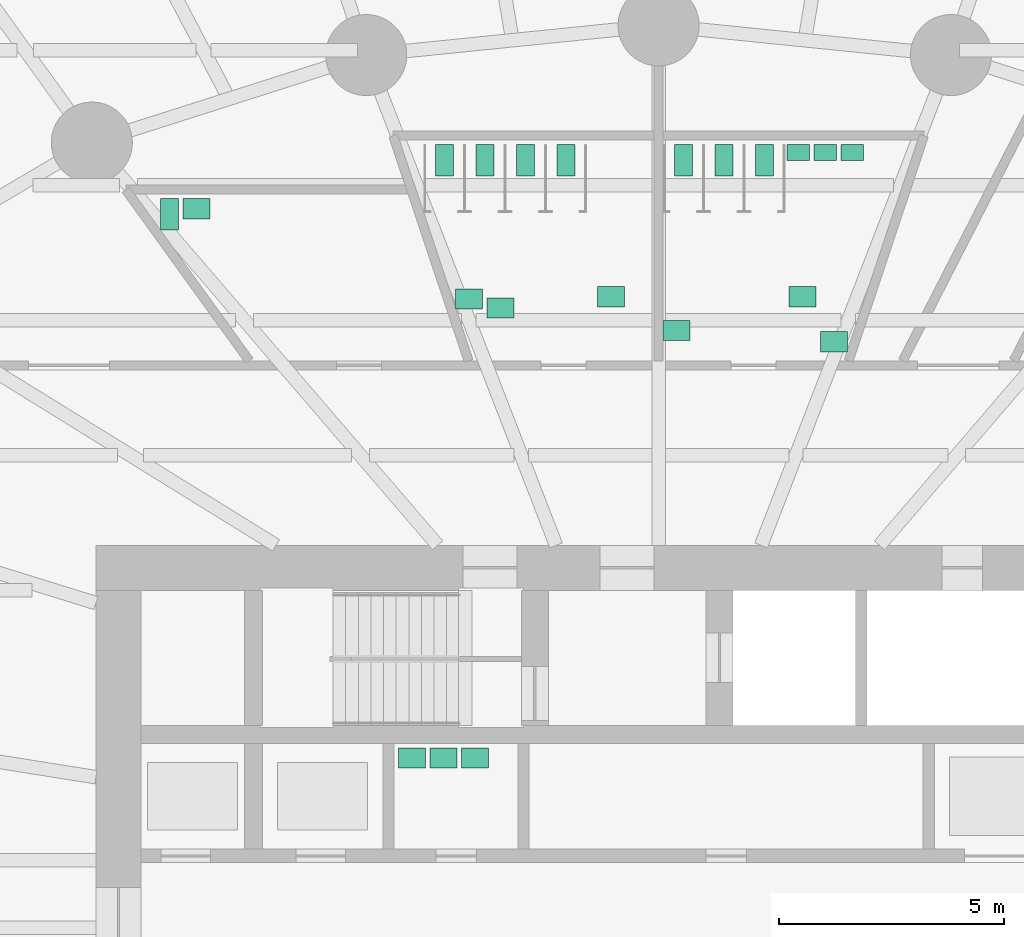
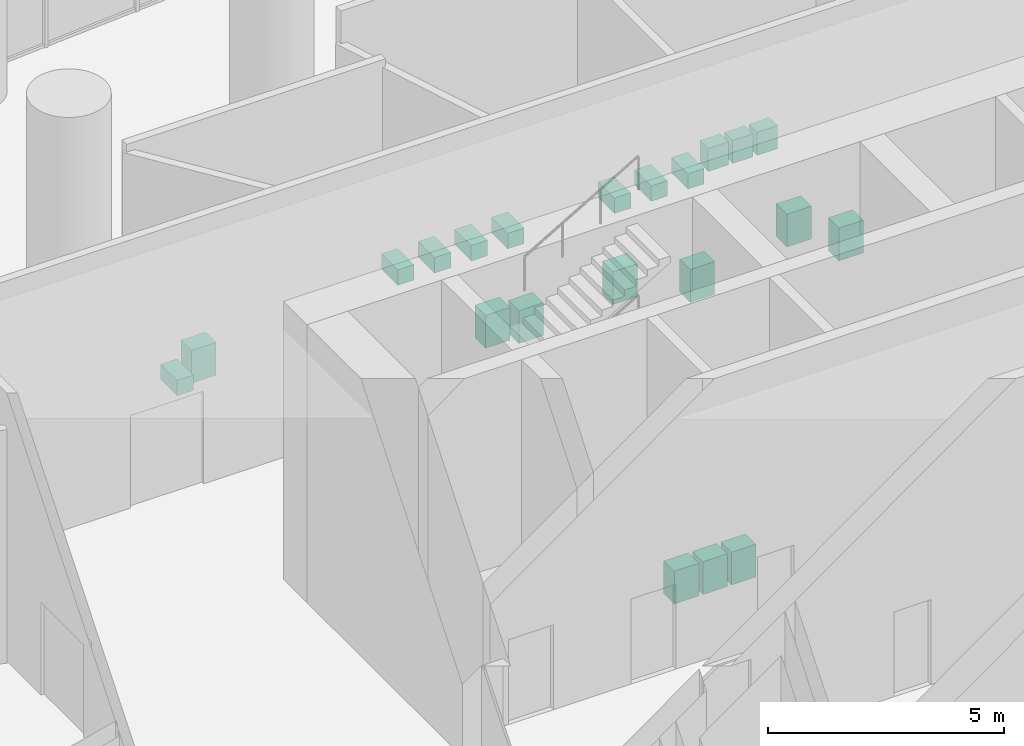
# One storey, part 20 of 22: 21 sanitary terminals.
"""IFC4 building model written with IfcOpenShell, lengths in metres."""

from ifc_helpers import new_model, si_unit, direction, frame, origin, origin_2d, place, context, subcontext, project, spatial, rectangle, extrude, element, save


model = new_model("IFC4")

# Units and contexts
model_context = context("Model", 3, precision=1e-05, world=origin(), true_north=direction((0.0, 1.0)))
body_context = subcontext(model_context, "Body", "Model", "MODEL_VIEW")
ifc_project = project(units=[si_unit("LENGTHUNIT", "METRE"), si_unit("AREAUNIT", "SQUARE_METRE"), si_unit("VOLUMEUNIT", "CUBIC_METRE"), si_unit("PLANEANGLEUNIT", "RADIAN"), si_unit("MASSUNIT", "GRAM", prefix="KILO")], contexts=[model_context])

# Site, building, storey
site_placement = place(None, origin())
site = spatial("IfcSite", under=ifc_project, at=site_placement, CompositionType="ELEMENT")
building_placement = place(site_placement, origin())
building = spatial("IfcBuilding", under=site, at=building_placement, Name="Hankou Lantern Tower", CompositionType="ELEMENT")
storey_placement = place(building_placement, origin())
storey = spatial("IfcBuildingStorey", under=building, at=storey_placement, Name="L00", CompositionType="ELEMENT", Elevation=0.0)

# Sanitary terminals
for number, where, z_axis, x_axis, name in (
    (1, (0.550048828125, 17.050048828125, 0.0), (0.0, 0.0, 1.0), (1.0, 0.0, 0.0), "Public male WC WC pan 1"),
    (2, (1.449951171875, 17.050048828125, 0.0), (0.0, 0.0, 1.0), (1.0, 0.0, 0.0), "Public male WC WC pan 2"),
    (3, (2.35009765625, 17.050048828125, 0.0), (0.0, 0.0, 1.0), (1.0, 0.0, 0.0), "Public male WC WC pan 3"),
):
    element("IfcSanitaryTerminal", number, at=place(storey_placement, frame(where, z_axis=z_axis, x_axis=x_axis)), inside=storey, Name=name, PredefinedType="TOILETPAN", context=body_context, shape_type="SweptSolid", body=[
        extrude(rectangle(XDim=0.39990234375, YDim=0.699951171875, at=origin_2d()), origin(), (0.0, 0.0, 1.0), 0.39990234375),
    ])
for number, where, z_axis, x_axis, name in (
    (4, (3.10009765625, 17.22509765625, 0.0), (0.0, 0.0, 1.0), (1.0, 0.0, 0.0), "Public male WC urinal 1"),
    (5, (3.699951171875, 17.22509765625, 0.0), (0.0, 0.0, 1.0), (1.0, 0.0, 0.0), "Public male WC urinal 2"),
    (6, (4.300048828125, 17.22509765625, 0.0), (0.0, 0.0, 1.0), (1.0, 0.0, 0.0), "Public male WC urinal 3"),
):
    element("IfcSanitaryTerminal", number, at=place(storey_placement, frame(where, z_axis=z_axis, x_axis=x_axis)), inside=storey, Name=name, PredefinedType="URINAL", context=body_context, shape_type="SweptSolid", body=[
        extrude(rectangle(XDim=0.5, YDim=0.35009765625, at=origin_2d()), origin(), (0.0, 0.0, 1.0), 0.60009765625),
    ])
for number, where, z_axis, x_axis, name in (
    (7, (0.39990234375, 13.27490234375, 0.0), (0.0, 0.0, 1.0), (1.0, 0.0, 0.0), "Public male WC wash basin 1"),
    (8, (3.199951171875, 14.02490234375, 0.0), (0.0, 0.0, 1.0), (1.0, 0.0, 0.0), "Public male WC wash basin 2"),
    (9, (3.89990234375, 13.02490234375, 0.0), (0.0, 0.0, 1.0), (1.0, 0.0, 0.0), "Public male WC wash basin 3"),
):
    element("IfcSanitaryTerminal", number, at=place(storey_placement, frame(where, z_axis=z_axis, x_axis=x_axis)), inside=storey, Name=name, PredefinedType="WASHHANDBASIN", context=body_context, shape_type="SweptSolid", body=[
        extrude(rectangle(XDim=0.60009765625, YDim=0.449951171875, at=origin_2d()), origin(), (0.0, 0.0, 1.0), 0.85009765625),
    ])
for number, where, z_axis, x_axis, name in (
    (10, (-4.761474609375, 17.050048828125, 0.0), (0.0, 0.0, 1.0), (1.0, 0.0, 0.0), "Public female WC WC pan 1"),
    (11, (-3.861328125, 17.050048828125, 0.0), (0.0, 0.0, 1.0), (1.0, 0.0, 0.0), "Public female WC WC pan 2"),
    (12, (-2.96142578125, 17.050048828125, 0.0), (0.0, 0.0, 1.0), (1.0, 0.0, 0.0), "Public female WC WC pan 3"),
    (13, (-2.061279296875, 17.050048828125, 0.0), (0.0, 0.0, 1.0), (1.0, 0.0, 0.0), "Public female WC WC pan 4"),
):
    element("IfcSanitaryTerminal", number, at=place(storey_placement, frame(where, z_axis=z_axis, x_axis=x_axis)), inside=storey, Name=name, PredefinedType="TOILETPAN", context=body_context, shape_type="SweptSolid", body=[
        extrude(rectangle(XDim=0.39990234375, YDim=0.699951171875, at=origin_2d()), origin(), (0.0, 0.0, 1.0), 0.39990234375),
    ])
for number, where, z_axis, x_axis, name in (
    (14, (-4.21142578125, 13.97509765625, 0.0), (0.0, 0.0, 1.0), (1.0, 0.0, 0.0), "Public female WC wash basin 1"),
    (15, (-3.511474609375, 13.77490234375, 0.0), (0.0, 0.0, 1.0), (1.0, 0.0, 0.0), "Public female WC wash basin 2"),
    (16, (-1.061279296875, 14.02490234375, 0.0), (0.0, 0.0, 1.0), (1.0, 0.0, 0.0), "Public female WC wash basin 3"),
):
    element("IfcSanitaryTerminal", number, at=place(storey_placement, frame(where, z_axis=z_axis, x_axis=x_axis)), inside=storey, Name=name, PredefinedType="WASHHANDBASIN", context=body_context, shape_type="SweptSolid", body=[
        extrude(rectangle(XDim=0.60009765625, YDim=0.449951171875, at=origin_2d()), origin(), (0.0, 0.0, 1.0), 0.85009765625),
    ])
sanitary_terminal_placement = place(storey_placement, frame((-10.863525390625, 15.85009765625, 0.0), z_axis=(0.0, 0.0, 1.0), x_axis=(1.0, 0.0, 0.0)))
element("IfcSanitaryTerminal", 17, at=sanitary_terminal_placement, inside=storey, Name="Accessible WC and baby change WC pan 1", PredefinedType="TOILETPAN", context=body_context, shape_type="SweptSolid", body=[
    extrude(rectangle(XDim=0.39990234375, YDim=0.699951171875, at=origin_2d()), origin(), (0.0, 0.0, 1.0), 0.39990234375),
])
for number, where, z_axis, x_axis, name in (
    (18, (-10.263427734375, 15.97509765625, 0.0), (0.0, 0.0, 1.0), (1.0, 0.0, 0.0), "Accessible WC and baby change wash basin 1"),
    (19, (-5.47509765625, 3.77490234375, 0.0), (0.0, 0.0, 1.0), (1.0, 0.0, 0.0), "Staff WC wash basin 1"),
    (20, (-4.77490234375, 3.77490234375, 0.0), (0.0, 0.0, 1.0), (1.0, 0.0, 0.0), "Staff WC wash basin 2"),
    (21, (-4.074951171875, 3.77490234375, 0.0), (0.0, 0.0, 1.0), (1.0, 0.0, 0.0), "Staff WC wash basin 3"),
):
    element("IfcSanitaryTerminal", number, at=place(storey_placement, frame(where, z_axis=z_axis, x_axis=x_axis)), inside=storey, Name=name, PredefinedType="WASHHANDBASIN", context=body_context, shape_type="SweptSolid", body=[
        extrude(rectangle(XDim=0.60009765625, YDim=0.449951171875, at=origin_2d()), origin(), (0.0, 0.0, 1.0), 0.85009765625),
    ])

save(model, "model.ifc")
